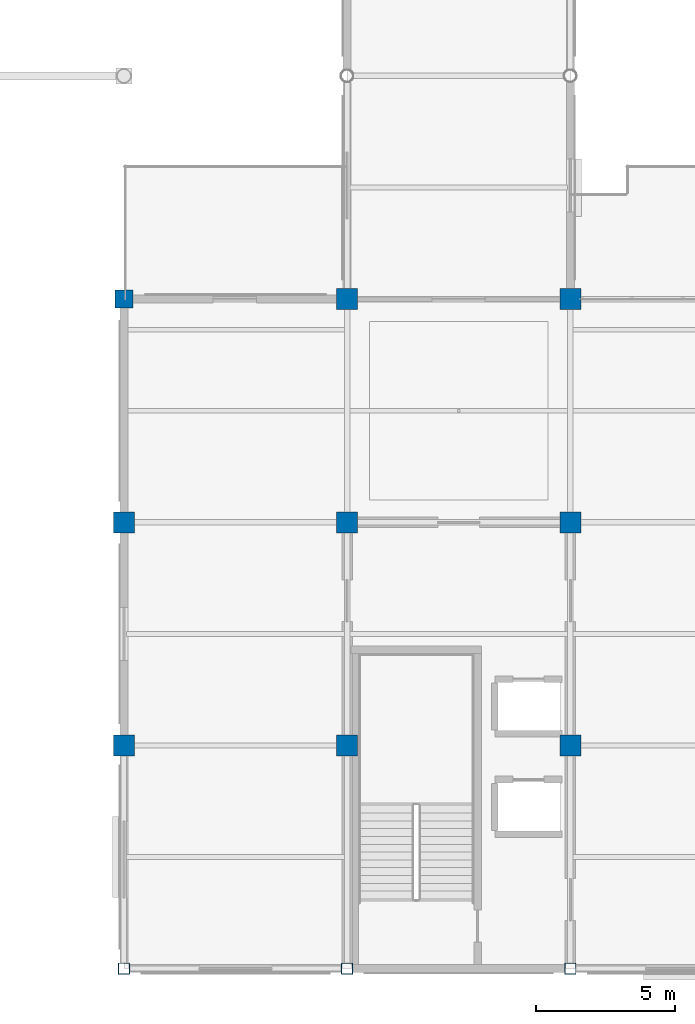
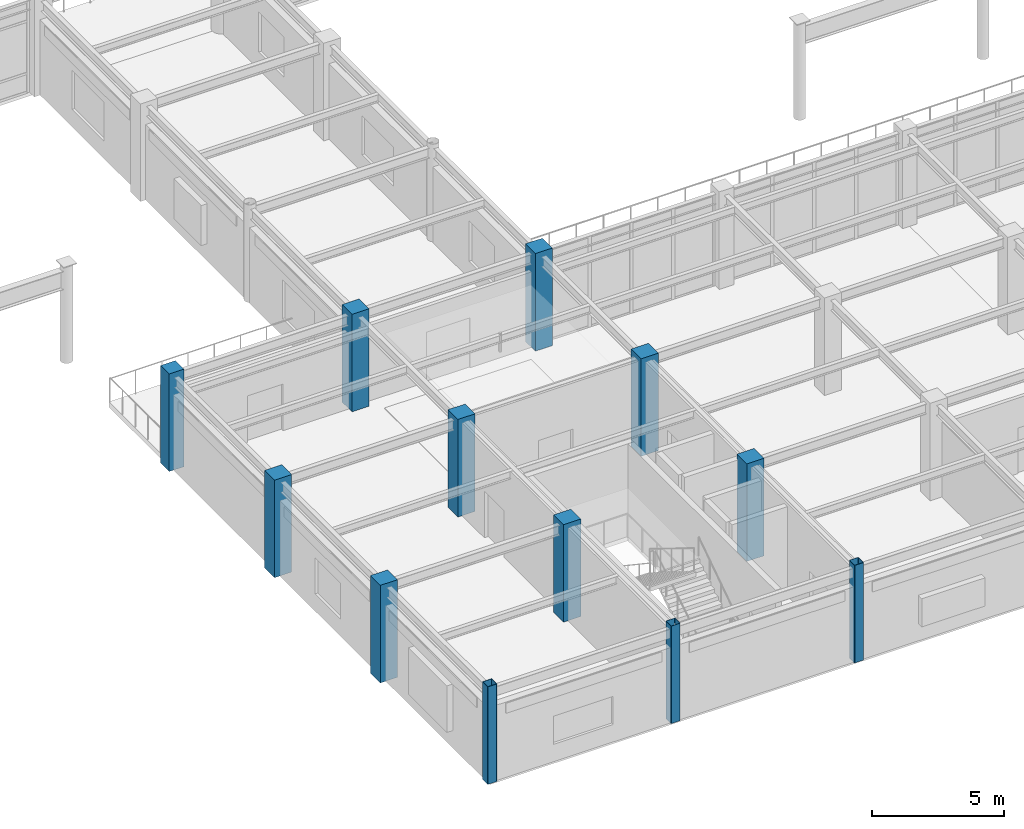
# One storey, part 1 of 78: 12 columns.
"""IFC4 building model written with IfcOpenShell, lengths in metres."""

from ifc_helpers import new_model, si_unit, direction, frame, origin, origin_2d, place, context, subcontext, project, spatial, rectangle, hollow_rectangle, extrude, material, material_profile, profile_set, type_object, element, save


model = new_model("IFC4")

# Units and contexts
model_context = context("Model", 3, precision=1e-05, world=origin(), true_north=direction((0.0, 1.0)))
body_context = subcontext(model_context, "Body", "Model", "MODEL_VIEW")
ifc_project = project(units=[si_unit("LENGTHUNIT", "METRE"), si_unit("AREAUNIT", "SQUARE_METRE"), si_unit("VOLUMEUNIT", "CUBIC_METRE"), si_unit("PLANEANGLEUNIT", "RADIAN"), si_unit("MASSUNIT", "GRAM", prefix="KILO")], contexts=[model_context])

# Site, building, storey
site_placement = place(None, origin())
site = spatial("IfcSite", under=ifc_project, at=site_placement, CompositionType="ELEMENT")
building_placement = place(site_placement, origin())
building = spatial("IfcBuilding", under=site, at=building_placement, Name="Solmirada Galleria", CompositionType="ELEMENT")
storey_placement = place(building_placement, frame((0.0, 0.0, 23.89990234375)))
storey = spatial("IfcBuildingStorey", under=building, at=storey_placement, Name="L05", CompositionType="ELEMENT", Elevation=23.89990234375)

# Columns
ifc_material_1 = material(Name="Steel S355 / ASTM A500 Grade C", Category="steel")
ifc_material_profile_1 = material_profile(ifc_material_1, hollow_rectangle(XDim=0.406005859375, YDim=0.406005859375, WallThickness=0.0146484375, InnerFilletRadius=0.0146484375, OuterFilletRadius=0.029296875, at=origin_2d()), Name="HSS16X16X5/8")
ifc_profile_set_1 = profile_set([ifc_material_profile_1], Name="Steel S355 / ASTM A500 Grade C")
column_type_1 = type_object("IfcColumnType", Name="COL-HSS16", PredefinedType="COLUMN", material=ifc_profile_set_1)
for number, where, z_axis, x_axis, name in (
    (1, (80.0, 0.0, 0.0), (0.0, 0.0, 1.0), (1.0, 0.0, 0.0), "Structural column L05-0351"),
    (2, (88.0, 0.0, 0.0), (0.0, 0.0, 1.0), (1.0, 0.0, 0.0), "Structural column L05-0468"),
    (3, (96.0, 0.0, 0.0), (0.0, 0.0, 1.0), (1.0, 0.0, 0.0), "Structural column L05-0590"),
):
    element("IfcColumn", number, at=place(storey_placement, frame(where, z_axis=z_axis, x_axis=x_axis)), inside=storey, type_object=column_type_1, Name=name, PredefinedType="COLUMN", context=body_context, shape_type="SweptSolid", body=[
        extrude(hollow_rectangle(XDim=0.406005859375, YDim=0.406005859375, WallThickness=0.0146484375, InnerFilletRadius=0.0146484375, OuterFilletRadius=0.029296875, at=origin_2d()), origin(), (0.0, 0.0, 1.0), 4.5),
    ])
ifc_material_2 = material(Name="Concrete C40/50", Category="concrete")
ifc_material_profile_2 = material_profile(ifc_material_2, rectangle(XDim=0.64990234375, YDim=0.64990234375, at=origin_2d()), Name="RC650X650")
ifc_profile_set_2 = profile_set([ifc_material_profile_2], Name="Concrete C40/50")
column_type_2 = type_object("IfcColumnType", Name="COL-RC650", PredefinedType="COLUMN", material=ifc_profile_set_2)
column_placement = place(storey_placement, frame((80.0, 24.0, 0.0), z_axis=(0.0, 0.0, 1.0), x_axis=(1.0, 0.0, 0.0)))
element("IfcColumn", 4, at=column_placement, inside=storey, type_object=column_type_2, Name="Structural column L05-0375", PredefinedType="COLUMN", context=body_context, shape_type="SweptSolid", body=[
    extrude(rectangle(XDim=0.64990234375, YDim=0.64990234375, at=origin_2d()), origin(), (0.0, 0.0, 1.0), 4.5),
])
ifc_material_profile_3 = material_profile(ifc_material_2, rectangle(XDim=0.75, YDim=0.75, at=origin_2d()), Name="RC750X750")
ifc_profile_set_3 = profile_set([ifc_material_profile_3], Name="Concrete C40/50")
column_type_3 = type_object("IfcColumnType", Name="COL-RC750", PredefinedType="COLUMN", material=ifc_profile_set_3)
for number, where, z_axis, x_axis, name in (
    (5, (80.0, 8.0, 0.0), (0.0, 0.0, 1.0), (1.0, 0.0, 0.0), "Structural column L05-0359"),
    (6, (80.0, 16.0, 0.0), (0.0, 0.0, 1.0), (1.0, 0.0, 0.0), "Structural column L05-0367"),
    (7, (88.0, 8.0, 0.0), (0.0, 0.0, 1.0), (1.0, 0.0, 0.0), "Structural column L05-0476"),
    (8, (88.0, 16.0, 0.0), (0.0, 0.0, 1.0), (1.0, 0.0, 0.0), "Structural column L05-0484"),
    (9, (88.0, 24.0, 0.0), (0.0, 0.0, 1.0), (1.0, 0.0, 0.0), "Structural column L05-0492"),
    (10, (96.0, 8.0, 0.0), (0.0, 0.0, 1.0), (1.0, 0.0, 0.0), "Structural column L05-0598"),
    (11, (96.0, 16.0, 0.0), (0.0, 0.0, 1.0), (1.0, 0.0, 0.0), "Structural column L05-0606"),
    (12, (96.0, 24.0, 0.0), (0.0, 0.0, 1.0), (1.0, 0.0, 0.0), "Structural column L05-0614"),
):
    element("IfcColumn", number, at=place(storey_placement, frame(where, z_axis=z_axis, x_axis=x_axis)), inside=storey, type_object=column_type_3, Name=name, PredefinedType="COLUMN", context=body_context, shape_type="SweptSolid", body=[
        extrude(rectangle(XDim=0.75, YDim=0.75, at=origin_2d()), origin(), (0.0, 0.0, 1.0), 4.5),
    ])

save(model, "model.ifc")
